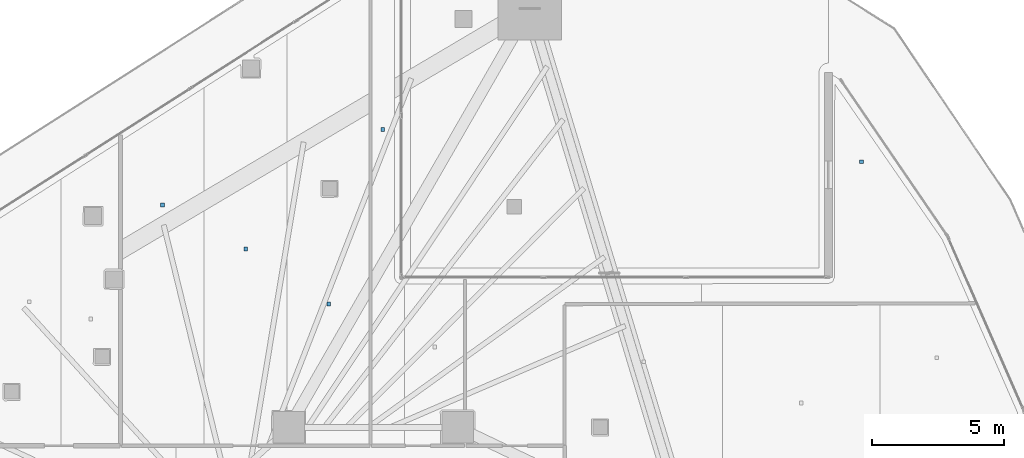
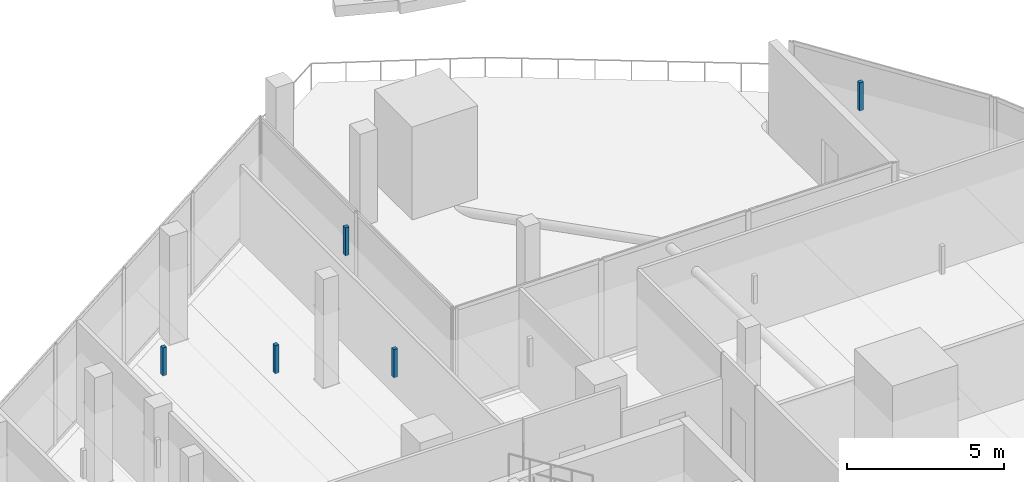
# One storey, part 37 of 47: 5 discrete accessories.
"""IFC4 building model written with IfcOpenShell, lengths in metres."""

from ifc_helpers import new_model, si_unit, direction, frame, origin, origin_2d, place, context, subcontext, project, spatial, rectangle, extrude, material, type_object, element, save


model = new_model("IFC4")

# Units and contexts
model_context = context("Model", 3, precision=1e-05, world=origin(), true_north=direction((0.0, 1.0)))
body_context = subcontext(model_context, "Body", "Model", "MODEL_VIEW")
ifc_project = project(units=[si_unit("LENGTHUNIT", "METRE"), si_unit("AREAUNIT", "SQUARE_METRE"), si_unit("VOLUMEUNIT", "CUBIC_METRE"), si_unit("PLANEANGLEUNIT", "RADIAN"), si_unit("MASSUNIT", "GRAM", prefix="KILO")], contexts=[model_context])

# Site, building, storey
site_placement = place(None, origin())
site = spatial("IfcSite", under=ifc_project, at=site_placement, CompositionType="ELEMENT")
building_placement = place(site_placement, origin())
building = spatial("IfcBuilding", under=site, at=building_placement, Name="Qorvath Tower", CompositionType="ELEMENT")
storey_placement = place(building_placement, frame((0.0, 0.0, 82.800048828125)))
storey = spatial("IfcBuildingStorey", under=building, at=storey_placement, Name="L18", CompositionType="ELEMENT", Elevation=82.800048828125)

# Discrete accessories
ifc_material = material(Name="Galvanised steel bracket", Category="steel")
discrete_accessory_type = type_object("IfcDiscreteAccessoryType", Name="DA-BRACKET", PredefinedType="BRACKET", material=ifc_material)
for number, where, z_axis, x_axis, name in (
    (1, (-28.388916015625, 19.87646484375, 2.85986328125), (0.0, 0.0, 1.0), (1.0, 0.0, 0.0), "Acoustic Ceiling Suspension Hanger T1-L18-012"),
    (2, (-25.235107421875, 18.208251953125, 2.85986328125), (0.0, 0.0, 1.0), (1.0, 0.0, 0.0), "Acoustic Ceiling Suspension Hanger T1-L18-013"),
    (3, (-22.081787109375, 16.126220703125, 2.85986328125), (0.0, 0.0, 1.0), (1.0, 0.0, 0.0), "Acoustic Ceiling Suspension Hanger T1-L18-014"),
    (4, (-20.039794921875, 22.73779296875, 2.85986328125), (0.0, 0.0, 1.0), (1.0, 0.0, 0.0), "Acoustic Ceiling Suspension Hanger T1-L18-015"),
    (5, (-1.890625, 21.51806640625, 2.85986328125), (0.0, 0.0, 1.0), (1.0, 0.0, 0.0), "Acoustic Ceiling Suspension Hanger T1-L18-018"),
):
    element("IfcDiscreteAccessory", number, at=place(storey_placement, frame(where, z_axis=z_axis, x_axis=x_axis)), inside=storey, type_object=discrete_accessory_type, Name=name, PredefinedType="NOTDEFINED", context=body_context, shape_type="SweptSolid", body=[
        extrude(rectangle(XDim=0.139892578125, YDim=0.139892578125, at=origin_2d()), origin(), (0.0, 0.0, 1.0), 1.090087890625),
    ])

save(model, "model.ifc")
